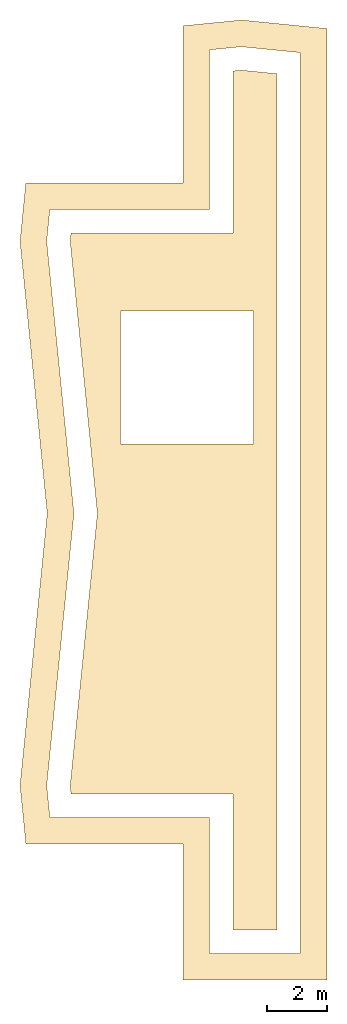
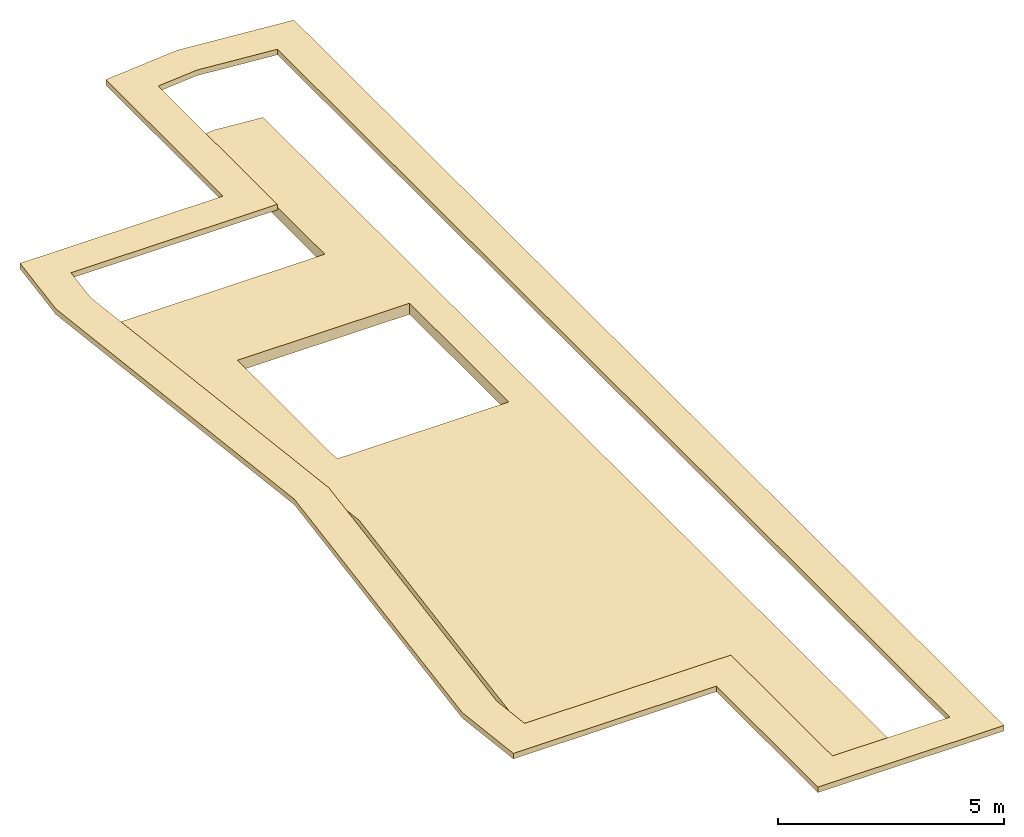
# One storey: 2 coverings.
"""IFC4 building model written with IfcOpenShell, lengths in metres."""

from ifc_helpers import new_model, si_unit, direction, frame, origin, place, context, subcontext, project, spatial, polyline, outline, extrude, material, layer, layer_set, type_object, element, save


model = new_model("IFC4")

# Units and contexts
model_context = context("Model", 3, precision=1e-05, world=origin(), true_north=direction((0.0, 1.0)))
body_context = subcontext(model_context, "Body", "Model", "MODEL_VIEW")
ifc_project = project(units=[si_unit("LENGTHUNIT", "METRE"), si_unit("AREAUNIT", "SQUARE_METRE"), si_unit("VOLUMEUNIT", "CUBIC_METRE"), si_unit("PLANEANGLEUNIT", "RADIAN"), si_unit("MASSUNIT", "GRAM", prefix="KILO")], contexts=[model_context])

# Site, building, storey
site_placement = place(None, origin())
site = spatial("IfcSite", under=ifc_project, at=site_placement, CompositionType="ELEMENT")
building_placement = place(site_placement, origin())
building = spatial("IfcBuilding", under=site, at=building_placement, Name="Brondeck Convention Tower", CompositionType="ELEMENT")
storey_placement = place(building_placement, frame((0.0, 0.0, 323.60009765625)))
storey = spatial("IfcBuildingStorey", under=building, at=storey_placement, Name="ROOF 4", CompositionType="ELEMENT", Elevation=323.60009765625)

# Coverings
ifc_material_1 = material(Name="Bitumen membrane")
ifc_layer_1 = layer(ifc_material_1, 0.02001953125, Name="Waterproofing")
ifc_material_2 = material(Name="Mineral wool")
ifc_layer_2 = layer(ifc_material_2, 0.280029296875, Name="Insulation")
ifc_layer_set = layer_set([ifc_layer_1, ifc_layer_2], Name="Roof membrane and insulation")
covering_type = type_object("IfcCoveringType", Name="Roof membrane and insulation", PredefinedType="ROOFING", material=ifc_layer_set)
covering_1_placement = place(storey_placement, frame((0.0, 0.0, 1.199951171875)))
element("IfcCovering", 1, at=covering_1_placement, inside=storey, type_object=covering_type, Name="ENV-CR-K1-T2-1", PredefinedType="ROOFING", context=body_context, shape_type="SweptSolid", body=[
    extrude(outline(polyline([(7.070068359375, 34.070068359375), (7.070068359375, 29.570068359375), (11.830078125, 29.570068359375), (11.830078125, 61.0341796875), (9.0, 61.317138671875), (7.070068359375, 61.124267578125), (7.070068359375, 55.929931640625), (1.875732421875, 55.929931640625), (1.682861328125, 54.0), (2.582763671875, 45.0), (1.682861328125, 36.0), (1.875732421875, 34.070068359375), (7.070068359375, 34.070068359375)]), holes=[polyline([(10.949951171875, 30.449951171875), (7.949951171875, 30.449951171875), (7.949951171875, 34.949951171875), (2.672119140625, 34.949951171875), (2.567138671875, 36.0), (3.46728515625, 45.0), (2.567138671875, 54.0), (2.672119140625, 55.050048828125), (7.949951171875, 55.050048828125), (7.949951171875, 60.327880859375), (9.0, 60.432861328125), (10.949951171875, 60.23779296875), (10.949951171875, 30.449951171875)])]), origin(), (0.0, 0.0, 1.0), 0.14990234375),
])
covering_2_placement = place(storey_placement, frame((0.0, 0.0, -0.10009765625)))
element("IfcCovering", 2, at=covering_2_placement, inside=storey, type_object=covering_type, Name="ENV-CT-K1-T3-RF1", PredefinedType="ROOFING", context=body_context, shape_type="SweptSolid", body=[
    extrude(outline(polyline([(8.719970703125, 35.719970703125), (8.719970703125, 31.219970703125), (10.179931640625, 31.219970703125), (10.179931640625, 59.541015625), (9.0, 59.658935546875), (8.719970703125, 59.631103515625), (8.719970703125, 54.280029296875), (3.368896484375, 54.280029296875), (3.341064453125, 54.0), (4.240966796875, 45.0), (3.341064453125, 36.0), (3.368896484375, 35.719970703125), (8.719970703125, 35.719970703125)]), holes=[polyline([(9.39990234375, 51.699951171875), (9.39990234375, 47.300048828125), (5.0, 47.300048828125), (5.0, 51.699951171875), (9.39990234375, 51.699951171875)])]), origin(), (0.0, 0.0, 1.0), 0.300048828125),
])

save(model, "model.ifc")
